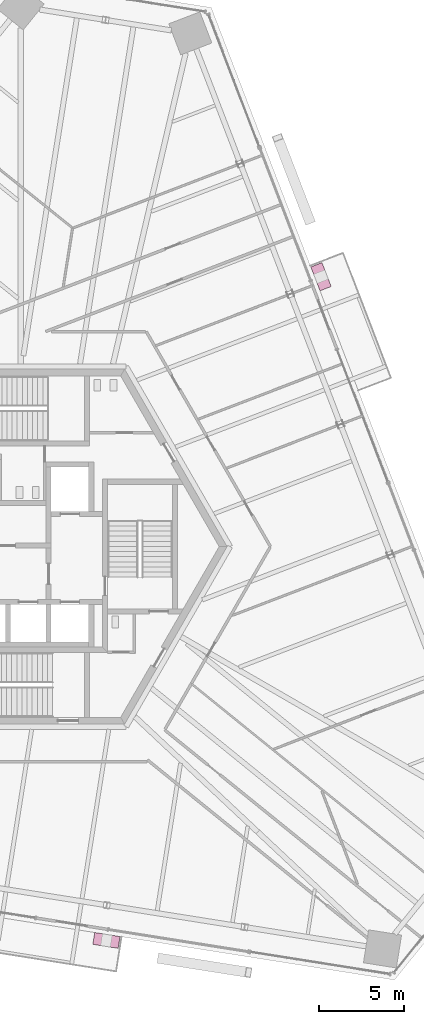
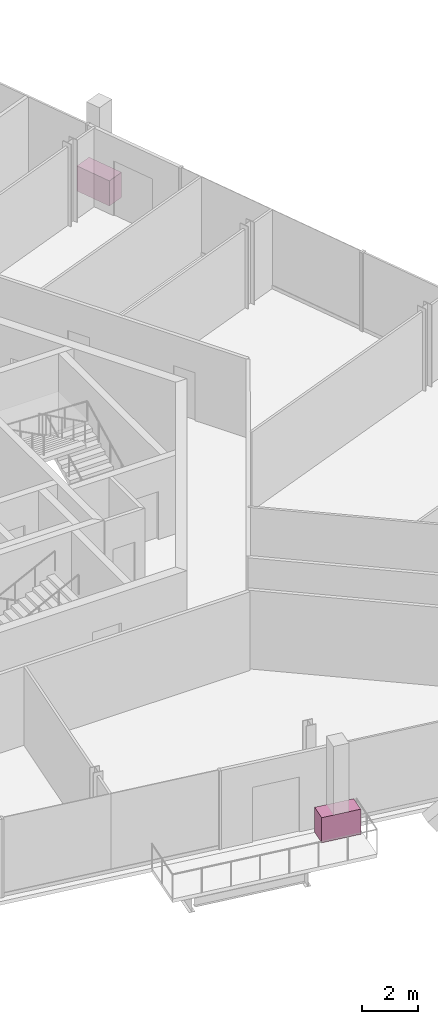
# One storey, part 18 of 19: 2 furniture elements.
"""IFC4 building model written with IfcOpenShell, lengths in metres."""

from ifc_helpers import new_model, si_unit, direction, frame, origin, origin_2d, place, context, subcontext, project, spatial, rectangle, extrude, source, transform, mapped, material, type_object, element, save


model = new_model("IFC4")

# Units and contexts
model_context = context("Model", 3, precision=1e-05, world=origin(), true_north=direction((0.0, 1.0)))
body_context = subcontext(model_context, "Body", "Model", "MODEL_VIEW")
ifc_project = project(units=[si_unit("LENGTHUNIT", "METRE"), si_unit("AREAUNIT", "SQUARE_METRE"), si_unit("VOLUMEUNIT", "CUBIC_METRE"), si_unit("PLANEANGLEUNIT", "RADIAN"), si_unit("MASSUNIT", "GRAM", prefix="KILO")], contexts=[model_context])

# Site, building, storey
site_placement = place(None, origin())
site = spatial("IfcSite", under=ifc_project, at=site_placement, CompositionType="ELEMENT")
building_placement = place(site_placement, origin())
building = spatial("IfcBuilding", under=site, at=building_placement, Name="Triune Harvest Tower", CompositionType="ELEMENT")
storey_placement = place(building_placement, frame((0.0, 0.0, 164.10009765625)))
storey = spatial("IfcBuildingStorey", under=building, at=storey_placement, Name="L42", CompositionType="ELEMENT", Elevation=164.10009765625)

# Furniture
ifc_material = material(Name="Concrete 40 MPa", Category="concrete")
furniture_type = type_object("IfcFurnitureType", Name="PB-1 structural planter", AssemblyPlace="SITE", PredefinedType="USERDEFINED", material=ifc_material)
shared_shape = source(origin(), body_context, "Body", "SweptSolid", [
    extrude(rectangle(XDim=1.5, YDim=0.699951171875, at=origin_2d()), origin(), (0.0, 0.0, 1.0), 1.10009765625),
])
for number, where, z_axis, x_axis, name in (
    (1, (17.499755859375, 15.802734375, -0.000244140625), (0.0, 0.0, 1.0), (-0.35836927228, 0.933579918746, 0.0), "Planter B4-F1 L42.8b"),
    (2, (4.935546875, -23.056640625, -0.000244140625), (0.0, 0.0, 1.0), (0.987688259912, -0.156434974453, 0.0), "Planter B4-F5 L42.8b"),
):
    element("IfcFurniture", number, at=place(storey_placement, frame(where, z_axis=z_axis, x_axis=x_axis)), inside=storey, type_object=furniture_type, Name=name, ObjectType="PLANTER", PredefinedType="USERDEFINED", context=body_context, shape_type="MappedRepresentation", body=[
        mapped(shared_shape, transform((0.0, 0.0, 0.0), scale=1.0)),
    ])

save(model, "model.ifc")
